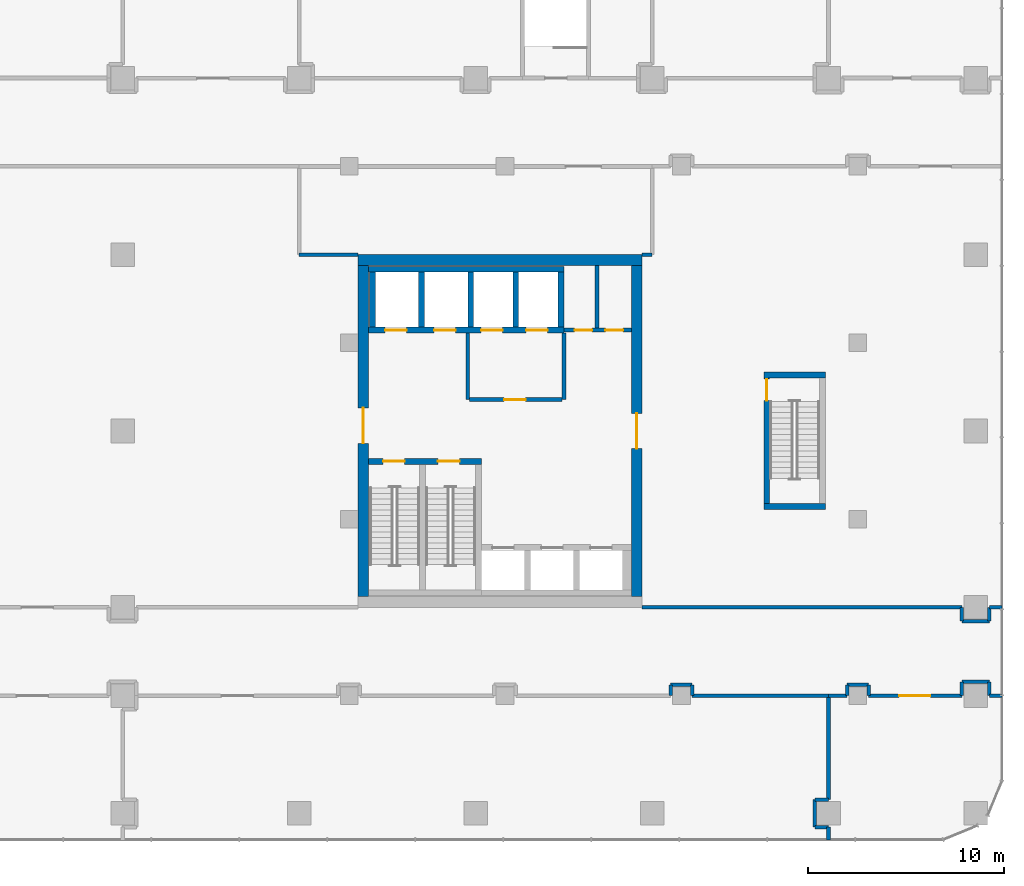
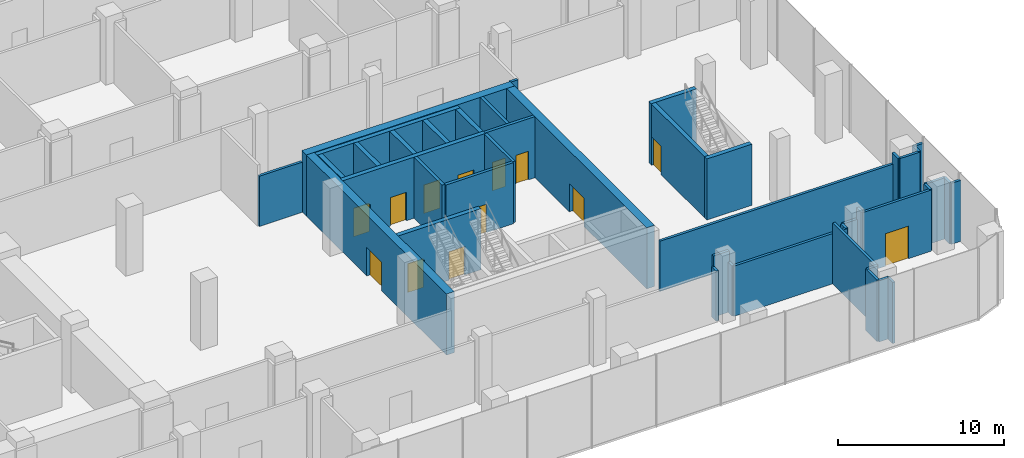
# One storey, part 29 of 36: 44 walls, 13 doors, 13 openings.
"""IFC4 building model written with IfcOpenShell, lengths in metres."""

import ifcopenshell
import ifcopenshell.guid

model = None  # the IFC model being written
_history = None  # IfcOwnerHistory: only IFC2X3 demands one
_inside = {}  # id of a spatial element -> (the spatial element, [elements in it])
_under = {}  # id of a project, library or spatial element -> (it, [spatial elements below it])
_declared = {}  # id of a project -> (the project, [libraries it declares])
_typed = {}  # id of a type object -> (the type object, [elements of that type])
_made_of = {}  # id of a material, layer set ... -> (it, [elements and type objects made of it])


def new_model(schema):
    """Start an empty IFC model of exactly this schema.

    Asked for "IFC4X3", IfcOpenShell would pick the latest addendum, in which some entities
    have other attributes; the version numbers below select the first issue.
    IFC2X3 requires an IfcOwnerHistory on every rooted entity: one is made here for all.
    """
    global model, _history
    if schema == "IFC4X3":
        model = ifcopenshell.file(schema_version=(4, 3, 0, 0))
    else:
        model = ifcopenshell.file(schema=schema)
    _inside.clear()
    _under.clear()
    _declared.clear()
    _typed.clear()
    _made_of.clear()
    _history = None
    if model.schema == "IFC2X3":
        org = make("IfcOrganization", Name="unknown")
        user = make(
            "IfcPersonAndOrganization",
            ThePerson=make("IfcPerson", FamilyName="unknown"),
            TheOrganization=org,
        )
        app = make(
            "IfcApplication",
            ApplicationDeveloper=org,
            Version="unknown",
            ApplicationFullName="unknown",
            ApplicationIdentifier="unknown",
        )
        _history = make(
            "IfcOwnerHistory",
            OwningUser=user,
            OwningApplication=app,
            ChangeAction="ADDED",
            CreationDate=0,
        )
    return model


def make(cls, **values):
    """One entity of the class cls with the attributes given. An attribute that is None is left unset."""
    return model.create_entity(
        cls, **{name: value for name, value in values.items() if value is not None}
    )


def rooted(cls, **values):
    """An entity with a GlobalId (a new one), such as an element, a storey or a relation."""
    return make(cls, GlobalId=ifcopenshell.guid.new(), OwnerHistory=_history, **values)


def si_unit(unit_type, name, prefix=None):
    """IfcSIUnit, for example si_unit("LENGTHUNIT", "METRE", prefix="MILLI")."""
    return make("IfcSIUnit", UnitType=unit_type, Prefix=prefix, Name=name)


def assignment(units):
    """IfcUnitAssignment: the units of a project."""
    return None if units is None else make("IfcUnitAssignment", Units=units)


def point(xyz):
    """IfcCartesianPoint."""
    return None if xyz is None else make("IfcCartesianPoint", Coordinates=xyz)


def direction(xyz):
    """IfcDirection."""
    return None if xyz is None else make("IfcDirection", DirectionRatios=xyz)


def frame(location, z_axis=None, x_axis=None):
    """IfcAxis2Placement3D, a coordinate frame: its origin and axes. An axis left out is left unset."""
    return make(
        "IfcAxis2Placement3D",
        Location=point(location),
        Axis=direction(z_axis),
        RefDirection=direction(x_axis),
    )


def frame_2d(location, x_axis=None):
    """IfcAxis2Placement2D, a coordinate frame in the plane: its origin and x axis."""
    return make(
        "IfcAxis2Placement2D", Location=point(location), RefDirection=direction(x_axis)
    )


def origin():
    """The frame at (0, 0, 0) with its axes left unset."""
    return frame((0.0, 0.0, 0.0))


def place(relative_to, where):
    """IfcLocalPlacement: puts the frame where relative to a parent placement (None: the world)."""
    return make(
        "IfcLocalPlacement", PlacementRelTo=relative_to, RelativePlacement=where
    )


def context(
    kind, dimensions, precision=None, world=None, true_north=None, identifier=None
):
    """IfcGeometricRepresentationContext, for example the 3D "Model" context."""
    return make(
        "IfcGeometricRepresentationContext",
        ContextIdentifier=identifier,
        ContextType=kind,
        CoordinateSpaceDimension=dimensions,
        Precision=precision,
        WorldCoordinateSystem=world,
        TrueNorth=true_north,
    )


def subcontext(parent, identifier, kind, view, scale=None):
    """IfcGeometricRepresentationSubContext, for example "Body" below "Model"."""
    return make(
        "IfcGeometricRepresentationSubContext",
        ContextIdentifier=identifier,
        ContextType=kind,
        ParentContext=parent,
        TargetScale=scale,
        TargetView=view,
    )


def project(units=None, contexts=None):
    """IfcProject with its units and contexts."""
    return rooted(
        "IfcProject",
        Name="project",
        RepresentationContexts=contexts,
        UnitsInContext=assignment(units),
    )


def spatial(cls, under=None, at=None, **own):
    """A site, building, storey or space (cls), placed at a placement, below another one or the project."""
    s = rooted(cls, ObjectPlacement=at, **own)
    if under is not None:
        _under.setdefault(under.id(), (under, []))[1].append(s)
    return s


def profile(cls, at=None, kind="AREA", **sizes):
    """A parametric profile (cls). Its sizes go by their IFC names, for example OverallWidth=200.0."""
    return make(cls, ProfileType=kind, Position=at, **sizes)


def rectangle(**sizes):
    """IfcRectangleProfileDef."""
    return profile("IfcRectangleProfileDef", **sizes)


def extrude(swept, where, along, depth):
    """IfcExtrudedAreaSolid: the profile swept, set in the frame where, extruded along a direction by depth."""
    return make(
        "IfcExtrudedAreaSolid",
        SweptArea=swept,
        Position=where,
        ExtrudedDirection=direction(along),
        Depth=depth,
    )


def shape(context_of_items, identifier, shape_type, items):
    """IfcShapeRepresentation: the items that make up one representation, for example the "Body"."""
    return make(
        "IfcShapeRepresentation",
        ContextOfItems=context_of_items,
        RepresentationIdentifier=identifier,
        RepresentationType=shape_type,
        Items=items,
    )


def material(Name=None, Category=None):
    """IfcMaterial."""
    return make("IfcMaterial", Name=Name, Category=Category)


def layer(
    of_material, thickness, ventilated=None, Name=None, Category=None, Priority=None
):
    """IfcMaterialLayer: one layer of a wall or slab, of a material (None: an air gap)."""
    return make(
        "IfcMaterialLayer",
        Material=of_material,
        LayerThickness=thickness,
        IsVentilated=ventilated,
        Name=Name,
        Category=Category,
        Priority=Priority,
    )


def layer_set(layers, Name=None):
    """IfcMaterialLayerSet."""
    return make("IfcMaterialLayerSet", MaterialLayers=layers, LayerSetName=Name)


def made_of(thing, what):
    """Note that an element or type object is made of a material, layer set ...; save() writes the relation."""
    if what is not None:
        _made_of.setdefault(what.id(), (what, []))[1].append(thing)
    return thing


def type_object(cls, material=None, **own):
    """A type object (cls), such as IfcWallType, which elements share."""
    return made_of(rooted(cls, **own), material)


def element(
    cls,
    number,
    at=None,
    inside=None,
    cuts=None,
    type_object=None,
    material=None,
    context=None,
    identifier="Body",
    shape_type=None,
    held_by="IfcProductDefinitionShape",
    body=None,
    shapes=None,
    **own,
):
    """One element of the class cls, such as IfcWall. Its Tag is "e" and its number.

    at: its placement. inside: the storey or other place that contains it. cuts: it is an
    opening in that element (IfcRelVoidsElement). A single representation is given by context,
    identifier, shape_type and body (its items); several are given by shapes. held_by: the class
    of the entity that holds the representations. save() writes the other relations.
    """
    e = rooted(cls, Tag="e%d" % number, ObjectPlacement=at, **own)
    if body is not None:
        shapes = [shape(context, identifier, shape_type, body)]
    if shapes is not None:
        e.Representation = make(held_by, Representations=shapes)
    if inside is not None:
        _inside.setdefault(inside.id(), (inside, []))[1].append(e)
    if cuts is not None:
        rooted(
            "IfcRelVoidsElement", RelatingBuildingElement=cuts, RelatedOpeningElement=e
        )
    if type_object is not None:
        _typed.setdefault(type_object.id(), (type_object, []))[1].append(e)
    return made_of(e, material)


def fill(opening, filler):
    """IfcRelFillsElement: the door or window that sits in an opening."""
    return rooted(
        "IfcRelFillsElement",
        RelatingOpeningElement=opening,
        RelatedBuildingElement=filler,
    )


def aggregate(whole, parts):
    """IfcRelAggregates: a whole, such as a stair, and the parts it consists of."""
    return rooted("IfcRelAggregates", RelatingObject=whole, RelatedObjects=parts)


def save(model, path):
    """Write the relations noted so far, then the file.

    IfcRelAggregates (storeys below a building ...), IfcRelContainedInSpatialStructure (elements
    in a storey), IfcRelDefinesByType, IfcRelAssociatesMaterial and IfcRelDeclares: one each for
    every whole, place, type object, material and project.
    """
    for whole, parts in _under.values():
        aggregate(whole, parts)
    for where, things in _inside.values():
        rooted(
            "IfcRelContainedInSpatialStructure",
            RelatedElements=things,
            RelatingStructure=where,
        )
    for kind, things in _typed.values():
        rooted("IfcRelDefinesByType", RelatedObjects=things, RelatingType=kind)
    for what, things in _made_of.values():
        rooted("IfcRelAssociatesMaterial", RelatedObjects=things, RelatingMaterial=what)
    for by, libraries in _declared.values():
        rooted("IfcRelDeclares", RelatingContext=by, RelatedDefinitions=libraries)
    model.write(path)


model = new_model("IFC4")

# Units and contexts
model_context = context("Model", 3, precision=1e-05, world=origin(), true_north=direction((0.0, 1.0)))
body_context = subcontext(model_context, "Body", "Model", "MODEL_VIEW")
ifc_project = project(units=[si_unit("LENGTHUNIT", "METRE"), si_unit("AREAUNIT", "SQUARE_METRE"), si_unit("VOLUMEUNIT", "CUBIC_METRE"), si_unit("PLANEANGLEUNIT", "RADIAN"), si_unit("MASSUNIT", "GRAM", prefix="KILO")], contexts=[model_context])

# Site, building, storey
site_placement = place(None, origin())
site = spatial("IfcSite", under=ifc_project, at=site_placement, CompositionType="ELEMENT")
building_placement = place(site_placement, origin())
building = spatial("IfcBuilding", under=site, at=building_placement, Name="Plateau Cross Towers", CompositionType="ELEMENT")
storey_placement = place(building_placement, frame((0.0, 0.0, 21.800048828125)))
storey = spatial("IfcBuildingStorey", under=building, at=storey_placement, Name="L04", CompositionType="ELEMENT", Elevation=21.800048828125)

# Wall
ifc_material_1 = material(Name="Concrete block, plastered both sides", Category="concrete")
ifc_layer_1 = layer(ifc_material_1, 0.199951171875)
ifc_layer_set_1 = layer_set([ifc_layer_1], Name="Concrete block, plastered both sides")
wall_type_1 = type_object("IfcWallType", Name="Core partition 200", PredefinedType="PARTITIONING", material=ifc_layer_set_1)
wall_1_placement = place(storey_placement, frame((80.60009765625, 10.60009765625, 0.0), z_axis=(0.0, 0.0, 1.0), x_axis=(0.0, 1.0, 0.0)))
element("IfcWall", 1, at=wall_1_placement, inside=storey, type_object=wall_type_1, Name="Core partition", PredefinedType="PARTITIONING", context=body_context, shape_type="SweptSolid", body=[
    extrude(rectangle(XDim=3.39990234375, YDim=0.199951171875, at=frame_2d((1.699951171875, 0.0))), origin(), (0.0, 0.0, 1.0), 4.5),
])

# Wall, opening, door
wall_2_placement = place(storey_placement, frame((80.699951171875, 10.60009765625, 0.0), z_axis=(0.0, 0.0, 1.0), x_axis=(1.0, 0.0, 0.0)))
wall_2 = element("IfcWall", 2, at=wall_2_placement, inside=storey, type_object=wall_type_1, Name="Core partition", PredefinedType="PARTITIONING", context=body_context, shape_type="SweptSolid", body=[
    extrude(rectangle(XDim=4.699951171875, YDim=0.199951171875, at=frame_2d((2.35009765625, 0.0))), origin(), (0.0, 0.0, 1.0), 4.5),
])
opening_1_placement = place(wall_2_placement, frame((1.75, 0.0, 0.0)))
opening_1 = element("IfcOpeningElement", 3, at=opening_1_placement, cuts=wall_2, Name="Opening FFD", PredefinedType="OPENING", context=body_context, shape_type="SweptSolid", body=[
    extrude(rectangle(XDim=1.10009765625, YDim=2.10009765625, at=frame_2d((0.550048828125, 1.050048828125))), frame((0.0, 0.10986328125, 0.0), z_axis=(0.0, -1.0, 0.0), x_axis=(1.0, 0.0, 0.0)), (0.0, 0.0, 1.0), 0.219970703125),
])
ifc_material_2 = material(Name="Steel, fire-resisting leaf", Category="steel")
door_type_1 = type_object("IfcDoorType", Name="Firefighting lobby door 1100", OperationType="NOTDEFINED", PredefinedType="DOOR", material=ifc_material_2)
door_1_placement = place(opening_1_placement, origin())
door_1 = element("IfcDoor", 4, at=door_1_placement, inside=storey, type_object=door_type_1, Name="Firefighting lobby door FFD", OperationType="SINGLE_SWING_LEFT", OverallHeight=2.10009765625, OverallWidth=1.10009765625, PredefinedType="DOOR", context=body_context, shape_type="SweptSolid", body=[
    extrude(rectangle(XDim=1.10009765625, YDim=2.10009765625, at=frame_2d((0.550048828125, 1.050048828125))), frame((0.0, 0.02490234375, 0.0), z_axis=(0.0, -1.0, 0.0), x_axis=(1.0, 0.0, 0.0)), (0.0, 0.0, 1.0), 0.050048828125),
])
fill(opening_1, door_1)

# Wall
wall_3_placement = place(storey_placement, frame((85.5, 10.60009765625, 0.0), z_axis=(0.0, 0.0, 1.0), x_axis=(0.0, 1.0, 0.0)))
element("IfcWall", 5, at=wall_3_placement, inside=storey, type_object=wall_type_1, Name="Core partition", PredefinedType="PARTITIONING", context=body_context, shape_type="SweptSolid", body=[
    extrude(rectangle(XDim=3.39990234375, YDim=0.199951171875, at=frame_2d((1.699951171875, 0.0))), origin(), (0.0, 0.0, 1.0), 4.5),
])

# Wall, openings, doors
wall_4_placement = place(storey_placement, frame((85.5, 14.14990234375, 0.0), z_axis=(0.0, 0.0, 1.0), x_axis=(1.0, 0.0, 0.0)))
wall_4 = element("IfcWall", 6, at=wall_4_placement, inside=storey, type_object=wall_type_1, Name="Core partition", PredefinedType="PARTITIONING", context=body_context, shape_type="SweptSolid", body=[
    extrude(rectangle(XDim=3.449951171875, YDim=0.199951171875, at=frame_2d((1.72509765625, 0.0))), origin(), (0.0, 0.0, 1.0), 4.5),
])
opening_2_placement = place(wall_4_placement, frame((0.550048828125, 0.0, 0.0)))
opening_2 = element("IfcOpeningElement", 7, at=opening_2_placement, cuts=wall_4, Name="Opening RD2", PredefinedType="OPENING", context=body_context, shape_type="SweptSolid", body=[
    extrude(rectangle(XDim=0.89990234375, YDim=2.10009765625, at=frame_2d((0.449951171875, 1.050048828125))), frame((0.0, 0.10986328125, 0.0), z_axis=(0.0, -1.0, 0.0), x_axis=(1.0, 0.0, 0.0)), (0.0, 0.0, 1.0), 0.219970703125),
])
opening_3_placement = place(wall_4_placement, frame((2.125, 0.0, 0.0)))
opening_3 = element("IfcOpeningElement", 8, at=opening_3_placement, cuts=wall_4, Name="Opening RD2", PredefinedType="OPENING", context=body_context, shape_type="SweptSolid", body=[
    extrude(rectangle(XDim=0.89990234375, YDim=2.10009765625, at=frame_2d((0.449951171875, 1.050048828125))), frame((0.0, 0.10986328125, 0.0), z_axis=(0.0, -1.0, 0.0), x_axis=(1.0, 0.0, 0.0)), (0.0, 0.0, 1.0), 0.219970703125),
])
door_type_2 = type_object("IfcDoorType", Name="Core riser door 900", OperationType="NOTDEFINED", PredefinedType="DOOR", material=ifc_material_2)
door_2_placement = place(opening_2_placement, origin())
door_2 = element("IfcDoor", 9, at=door_2_placement, inside=storey, type_object=door_type_2, Name="Core riser door RD2", OperationType="SINGLE_SWING_LEFT", OverallHeight=2.10009765625, OverallWidth=0.89990234375, PredefinedType="DOOR", context=body_context, shape_type="SweptSolid", body=[
    extrude(rectangle(XDim=0.89990234375, YDim=2.10009765625, at=frame_2d((0.449951171875, 1.050048828125))), frame((0.0, 0.02490234375, 0.0), z_axis=(0.0, -1.0, 0.0), x_axis=(1.0, 0.0, 0.0)), (0.0, 0.0, 1.0), 0.050048828125),
])
fill(opening_2, door_2)
door_3_placement = place(opening_3_placement, origin())
door_3 = element("IfcDoor", 10, at=door_3_placement, inside=storey, type_object=door_type_2, Name="Core riser door RD2", OperationType="SINGLE_SWING_LEFT", OverallHeight=2.10009765625, OverallWidth=0.89990234375, PredefinedType="DOOR", context=body_context, shape_type="SweptSolid", body=[
    extrude(rectangle(XDim=0.89990234375, YDim=2.10009765625, at=frame_2d((0.449951171875, 1.050048828125))), frame((0.0, 0.02490234375, 0.0), z_axis=(0.0, -1.0, 0.0), x_axis=(1.0, 0.0, 0.0)), (0.0, 0.0, 1.0), 0.050048828125),
])
fill(opening_3, door_3)

# Wall
wall_5_placement = place(storey_placement, frame((87.199951171875, 14.25, 0.0), z_axis=(0.0, 0.0, 1.0), x_axis=(0.0, 1.0, 0.0)))
element("IfcWall", 11, at=wall_5_placement, inside=storey, type_object=wall_type_1, Name="Core partition", PredefinedType="PARTITIONING", context=body_context, shape_type="SweptSolid", body=[
    extrude(rectangle(XDim=3.199951171875, YDim=0.199951171875, at=frame_2d((1.60009765625, 0.0))), origin(), (0.0, 0.0, 1.0), 4.5),
])

# Wall, openings, doors
ifc_material_3 = material(Name="Concrete C60/75", Category="concrete")
ifc_layer_2 = layer(ifc_material_3, 0.300048828125)
ifc_layer_set_2 = layer_set([ifc_layer_2], Name="Concrete C60/75")
wall_type_2 = type_object("IfcWallType", Name="Core shaft wall 300", PredefinedType="SHEAR", material=ifc_layer_set_2)
wall_6_placement = place(storey_placement, frame((75.530029296875, 7.449951171875, 0.0), z_axis=(0.0, 0.0, 1.0), x_axis=(1.0, 0.0, 0.0)))
wall_6 = element("IfcWall", 12, at=wall_6_placement, inside=storey, type_object=wall_type_2, Name="B-sb-stN@L04", PredefinedType="SHEAR", context=body_context, shape_type="SweptSolid", body=[
    extrude(rectangle(XDim=5.77001953125, YDim=0.300048828125, at=frame_2d((2.885009765625, 0.0))), origin(), (0.0, 0.0, 1.0), 4.5),
])
opening_4_placement = place(wall_6_placement, frame((0.75, 0.0, 0.0)))
opening_4 = element("IfcOpeningElement", 13, at=opening_4_placement, cuts=wall_6, Name="Opening SD", PredefinedType="OPENING", context=body_context, shape_type="SweptSolid", body=[
    extrude(rectangle(XDim=1.10009765625, YDim=2.10009765625, at=frame_2d((0.550048828125, 1.050048828125))), frame((0.0, 0.159912109375, 0.0), z_axis=(0.0, -1.0, 0.0), x_axis=(1.0, 0.0, 0.0)), (0.0, 0.0, 1.0), 0.320068359375),
])
opening_5_placement = place(wall_6_placement, frame((3.550048828125, 0.0, 0.0)))
opening_5 = element("IfcOpeningElement", 14, at=opening_5_placement, cuts=wall_6, Name="Opening SD", PredefinedType="OPENING", context=body_context, shape_type="SweptSolid", body=[
    extrude(rectangle(XDim=1.10009765625, YDim=2.10009765625, at=frame_2d((0.550048828125, 1.050048828125))), frame((0.0, 0.159912109375, 0.0), z_axis=(0.0, -1.0, 0.0), x_axis=(1.0, 0.0, 0.0)), (0.0, 0.0, 1.0), 0.320068359375),
])
door_type_3 = type_object("IfcDoorType", Name="Stair door 1100", OperationType="NOTDEFINED", PredefinedType="DOOR", material=ifc_material_2)
door_4_placement = place(opening_4_placement, origin())
door_4 = element("IfcDoor", 15, at=door_4_placement, inside=storey, type_object=door_type_3, Name="Stair door SD", OperationType="SINGLE_SWING_RIGHT", OverallHeight=2.10009765625, OverallWidth=1.10009765625, PredefinedType="DOOR", context=body_context, shape_type="SweptSolid", body=[
    extrude(rectangle(XDim=1.10009765625, YDim=2.10009765625, at=frame_2d((0.550048828125, 1.050048828125))), frame((0.0, 0.02490234375, 0.0), z_axis=(0.0, -1.0, 0.0), x_axis=(1.0, 0.0, 0.0)), (0.0, 0.0, 1.0), 0.050048828125),
])
fill(opening_4, door_4)
door_5_placement = place(opening_5_placement, origin())
door_5 = element("IfcDoor", 16, at=door_5_placement, inside=storey, type_object=door_type_3, Name="Stair door SD", OperationType="SINGLE_SWING_LEFT", OverallHeight=2.10009765625, OverallWidth=1.10009765625, PredefinedType="DOOR", context=body_context, shape_type="SweptSolid", body=[
    extrude(rectangle(XDim=1.10009765625, YDim=2.10009765625, at=frame_2d((0.550048828125, 1.050048828125))), frame((0.0, 0.02490234375, 0.0), z_axis=(0.0, -1.0, 0.0), x_axis=(1.0, 0.0, 0.0)), (0.0, 0.0, 1.0), 0.050048828125),
])
fill(opening_5, door_5)

# Wall
wall_7_placement = place(storey_placement, frame((75.530029296875, 17.25, 0.0), z_axis=(0.0, 0.0, 1.0), x_axis=(1.0, 0.0, 0.0)))
element("IfcWall", 17, at=wall_7_placement, inside=storey, type_object=wall_type_2, Name="B-nb-back@L04", PredefinedType="SHEAR", context=body_context, shape_type="SweptSolid", body=[
    extrude(rectangle(XDim=9.969970703125, YDim=0.300048828125, at=frame_2d((4.98486328125, 0.0))), origin(), (0.0, 0.0, 1.0), 4.5),
])

# Wall, openings, doors
wall_8_placement = place(storey_placement, frame((75.530029296875, 14.14990234375, 0.0), z_axis=(0.0, 0.0, 1.0), x_axis=(1.0, 0.0, 0.0)))
wall_8 = element("IfcWall", 18, at=wall_8_placement, inside=storey, type_object=wall_type_2, Name="B-nb-front@L04", PredefinedType="SHEAR", context=body_context, shape_type="SweptSolid", body=[
    extrude(rectangle(XDim=9.969970703125, YDim=0.300048828125, at=frame_2d((4.98486328125, 0.0))), origin(), (0.0, 0.0, 1.0), 4.5),
])
opening_6_placement = place(wall_8_placement, frame((0.85009765625, 0.0, 0.0)))
opening_6 = element("IfcOpeningElement", 19, at=opening_6_placement, cuts=wall_8, Name="Opening LD", PredefinedType="OPENING", context=body_context, shape_type="SweptSolid", body=[
    extrude(rectangle(XDim=1.10009765625, YDim=2.10009765625, at=frame_2d((0.550048828125, 1.050048828125))), frame((0.0, 0.159912109375, 0.0), z_axis=(0.0, -1.0, 0.0), x_axis=(1.0, 0.0, 0.0)), (0.0, 0.0, 1.0), 0.320068359375),
])
opening_7_placement = place(wall_8_placement, frame((3.35009765625, 0.0, 0.0)))
opening_7 = element("IfcOpeningElement", 20, at=opening_7_placement, cuts=wall_8, Name="Opening LD", PredefinedType="OPENING", context=body_context, shape_type="SweptSolid", body=[
    extrude(rectangle(XDim=1.10009765625, YDim=2.10009765625, at=frame_2d((0.550048828125, 1.050048828125))), frame((0.0, 0.159912109375, 0.0), z_axis=(0.0, -1.0, 0.0), x_axis=(1.0, 0.0, 0.0)), (0.0, 0.0, 1.0), 0.320068359375),
])
opening_8_placement = place(wall_8_placement, frame((5.75, 0.0, 0.0)))
opening_8 = element("IfcOpeningElement", 21, at=opening_8_placement, cuts=wall_8, Name="Opening LD", PredefinedType="OPENING", context=body_context, shape_type="SweptSolid", body=[
    extrude(rectangle(XDim=1.10009765625, YDim=2.10009765625, at=frame_2d((0.550048828125, 1.050048828125))), frame((0.0, 0.159912109375, 0.0), z_axis=(0.0, -1.0, 0.0), x_axis=(1.0, 0.0, 0.0)), (0.0, 0.0, 1.0), 0.320068359375),
])
opening_9_placement = place(wall_8_placement, frame((8.050048828125, 0.0, 0.0)))
opening_9 = element("IfcOpeningElement", 22, at=opening_9_placement, cuts=wall_8, Name="Opening LD", PredefinedType="OPENING", context=body_context, shape_type="SweptSolid", body=[
    extrude(rectangle(XDim=1.10009765625, YDim=2.10009765625, at=frame_2d((0.550048828125, 1.050048828125))), frame((0.0, 0.159912109375, 0.0), z_axis=(0.0, -1.0, 0.0), x_axis=(1.0, 0.0, 0.0)), (0.0, 0.0, 1.0), 0.320068359375),
])
ifc_material_4 = material(Name="Stainless steel, fire-resisting sliding leaves", Category="steel")
door_type_4 = type_object("IfcDoorType", Name="Lift landing door 1100", OperationType="NOTDEFINED", PredefinedType="DOOR", material=ifc_material_4)
door_6_placement = place(opening_6_placement, origin())
door_6 = element("IfcDoor", 23, at=door_6_placement, inside=storey, type_object=door_type_4, Name="Lift landing door LD", OperationType="DOUBLE_DOOR_SLIDING", OverallHeight=2.10009765625, OverallWidth=1.10009765625, PredefinedType="DOOR", context=body_context, shape_type="SweptSolid", body=[
    extrude(rectangle(XDim=1.10009765625, YDim=2.10009765625, at=frame_2d((0.550048828125, 1.050048828125))), frame((0.0, 0.02490234375, 0.0), z_axis=(0.0, -1.0, 0.0), x_axis=(1.0, 0.0, 0.0)), (0.0, 0.0, 1.0), 0.050048828125),
])
fill(opening_6, door_6)
door_7_placement = place(opening_7_placement, origin())
door_7 = element("IfcDoor", 24, at=door_7_placement, inside=storey, type_object=door_type_4, Name="Lift landing door LD", OperationType="DOUBLE_DOOR_SLIDING", OverallHeight=2.10009765625, OverallWidth=1.10009765625, PredefinedType="DOOR", context=body_context, shape_type="SweptSolid", body=[
    extrude(rectangle(XDim=1.10009765625, YDim=2.10009765625, at=frame_2d((0.550048828125, 1.050048828125))), frame((0.0, 0.02490234375, 0.0), z_axis=(0.0, -1.0, 0.0), x_axis=(1.0, 0.0, 0.0)), (0.0, 0.0, 1.0), 0.050048828125),
])
fill(opening_7, door_7)
door_8_placement = place(opening_8_placement, origin())
door_8 = element("IfcDoor", 25, at=door_8_placement, inside=storey, type_object=door_type_4, Name="Lift landing door LD", OperationType="DOUBLE_DOOR_SLIDING", OverallHeight=2.10009765625, OverallWidth=1.10009765625, PredefinedType="DOOR", context=body_context, shape_type="SweptSolid", body=[
    extrude(rectangle(XDim=1.10009765625, YDim=2.10009765625, at=frame_2d((0.550048828125, 1.050048828125))), frame((0.0, 0.02490234375, 0.0), z_axis=(0.0, -1.0, 0.0), x_axis=(1.0, 0.0, 0.0)), (0.0, 0.0, 1.0), 0.050048828125),
])
fill(opening_8, door_8)
door_9_placement = place(opening_9_placement, origin())
door_9 = element("IfcDoor", 26, at=door_9_placement, inside=storey, type_object=door_type_4, Name="Lift landing door LD", OperationType="DOUBLE_DOOR_SLIDING", OverallHeight=2.10009765625, OverallWidth=1.10009765625, PredefinedType="DOOR", context=body_context, shape_type="SweptSolid", body=[
    extrude(rectangle(XDim=1.10009765625, YDim=2.10009765625, at=frame_2d((0.550048828125, 1.050048828125))), frame((0.0, 0.02490234375, 0.0), z_axis=(0.0, -1.0, 0.0), x_axis=(1.0, 0.0, 0.0)), (0.0, 0.0, 1.0), 0.050048828125),
])
fill(opening_9, door_9)

# Walls
for number, where, z_axis, x_axis, name in (
    (27, (75.75, 14.300048828125, 0.0), (0.0, 0.0, 1.0), (0.0, 1.0, 0.0), "B-nb-v0@L04"),
    (28, (78.25, 14.300048828125, 0.0), (0.0, 0.0, 1.0), (0.0, 1.0, 0.0), "B-nb-v1@L04"),
    (29, (80.75, 14.300048828125, 0.0), (0.0, 0.0, 1.0), (0.0, 1.0, 0.0), "B-nb-v2@L04"),
    (30, (83.050048828125, 14.300048828125, 0.0), (0.0, 0.0, 1.0), (0.0, 1.0, 0.0), "B-nb-v3@L04"),
    (31, (85.35009765625, 14.300048828125, 0.0), (0.0, 0.0, 1.0), (0.0, 1.0, 0.0), "B-nb-v4@L04"),
):
    element("IfcWall", number, at=place(storey_placement, frame(where, z_axis=z_axis, x_axis=x_axis)), inside=storey, type_object=wall_type_2, Name=name, PredefinedType="SHEAR", context=body_context, shape_type="SweptSolid", body=[
        extrude(rectangle(XDim=2.800048828125, YDim=0.300048828125, at=frame_2d((1.39990234375, 0.0))), origin(), (0.0, 0.0, 1.0), 4.5),
    ])

# Wall, opening, door
wall_9_placement = place(storey_placement, frame((95.85009765625, 5.300048828125, 0.0), z_axis=(0.0, 0.0, 1.0), x_axis=(0.0, 1.0, 0.0)))
wall_9 = element("IfcWall", 32, at=wall_9_placement, inside=storey, type_object=wall_type_2, Name="B-sb3-W@L04", PredefinedType="SHEAR", context=body_context, shape_type="SweptSolid", body=[
    extrude(rectangle(XDim=6.39990234375, YDim=0.300048828125, at=frame_2d((3.199951171875, 0.0))), origin(), (0.0, 0.0, 1.0), 4.5),
])
opening_10_placement = place(wall_9_placement, frame((5.25, 0.0, 0.0)))
opening_10 = element("IfcOpeningElement", 33, at=opening_10_placement, cuts=wall_9, Name="Opening SD", PredefinedType="OPENING", context=body_context, shape_type="SweptSolid", body=[
    extrude(rectangle(XDim=1.10009765625, YDim=2.10009765625, at=frame_2d((0.550048828125, 1.050048828125))), frame((0.0, 0.159912109375, 0.0), z_axis=(0.0, -1.0, 0.0), x_axis=(1.0, 0.0, 0.0)), (0.0, 0.0, 1.0), 0.320068359375),
])
door_10_placement = place(opening_10_placement, origin())
door_10 = element("IfcDoor", 34, at=door_10_placement, inside=storey, type_object=door_type_3, Name="Stair door SD", OperationType="SINGLE_SWING_LEFT", OverallHeight=2.10009765625, OverallWidth=1.10009765625, PredefinedType="DOOR", context=body_context, shape_type="SweptSolid", body=[
    extrude(rectangle(XDim=1.10009765625, YDim=2.10009765625, at=frame_2d((0.550048828125, 1.050048828125))), frame((0.0, 0.02490234375, 0.0), z_axis=(0.0, -1.0, 0.0), x_axis=(1.0, 0.0, 0.0)), (0.0, 0.0, 1.0), 0.050048828125),
])
fill(opening_10, door_10)

# Walls
for number, where, z_axis, x_axis, name in (
    (35, (95.699951171875, 5.14990234375, 0.0), (0.0, 0.0, 1.0), (1.0, 0.0, 0.0), "B-sb3-S@L04"),
    (36, (95.699951171875, 11.85009765625, 0.0), (0.0, 0.0, 1.0), (1.0, 0.0, 0.0), "B-sb3-N@L04"),
):
    element("IfcWall", number, at=place(storey_placement, frame(where, z_axis=z_axis, x_axis=x_axis)), inside=storey, type_object=wall_type_2, Name=name, PredefinedType="SHEAR", context=body_context, shape_type="SweptSolid", body=[
        extrude(rectangle(XDim=3.150146484375, YDim=0.300048828125, at=frame_2d((1.5751953125, 0.0))), origin(), (0.0, 0.0, 1.0), 4.5),
    ])
ifc_layer_3 = layer(ifc_material_3, 0.550048828125)
ifc_layer_set_3 = layer_set([ifc_layer_3], Name="Concrete C60/75")
wall_type_3 = type_object("IfcWallType", Name="Core shell wall 550", PredefinedType="SHEAR", material=ifc_layer_set_3)
wall_10_placement = place(storey_placement, frame((75.0, 17.72509765625, 0.0), z_axis=(0.0, 0.0, 1.0), x_axis=(1.0, 0.0, 0.0)))
element("IfcWall", 37, at=wall_10_placement, inside=storey, type_object=wall_type_3, Name="B-core-N@L04", PredefinedType="SHEAR", context=body_context, shape_type="SweptSolid", body=[
    extrude(rectangle(XDim=14.5, YDim=0.550048828125, at=frame_2d((7.25, 0.0))), origin(), (0.0, 0.0, 1.0), 4.5),
])

# Wall, opening, door
wall_11_placement = place(storey_placement, frame((75.27490234375, 0.550048828125, 0.0), z_axis=(0.0, 0.0, 1.0), x_axis=(0.0, 1.0, 0.0)))
wall_11 = element("IfcWall", 38, at=wall_11_placement, inside=storey, type_object=wall_type_3, Name="B-core-W@L04", PredefinedType="SHEAR", context=body_context, shape_type="SweptSolid", body=[
    extrude(rectangle(XDim=16.89990234375, YDim=0.550048828125, at=frame_2d((8.449951171875, 0.0))), origin(), (0.0, 0.0, 1.0), 4.5),
])
opening_11_placement = place(wall_11_placement, frame((7.824951171875, 0.0, 0.0)))
opening_11 = element("IfcOpeningElement", 39, at=opening_11_placement, cuts=wall_11, Name="Opening CD", PredefinedType="OPENING", context=body_context, shape_type="SweptSolid", body=[
    extrude(rectangle(XDim=1.800048828125, YDim=2.10009765625, at=frame_2d((0.89990234375, 1.050048828125))), frame((0.0, 0.284912109375, 0.0), z_axis=(0.0, -1.0, 0.0), x_axis=(1.0, 0.0, 0.0)), (0.0, 0.0, 1.0), 0.570068359375),
])
ifc_material_5 = material(Name="Steel, fire-resisting leaves", Category="steel")
door_type_5 = type_object("IfcDoorType", Name="Corridor door pair 1800", OperationType="NOTDEFINED", PredefinedType="DOOR", material=ifc_material_5)
door_11_placement = place(opening_11_placement, origin())
door_11 = element("IfcDoor", 40, at=door_11_placement, inside=storey, type_object=door_type_5, Name="Corridor door pair CD", OperationType="DOUBLE_DOOR_SINGLE_SWING", OverallHeight=2.10009765625, OverallWidth=1.800048828125, PredefinedType="DOOR", context=body_context, shape_type="SweptSolid", body=[
    extrude(rectangle(XDim=1.800048828125, YDim=2.10009765625, at=frame_2d((0.89990234375, 1.050048828125))), frame((0.0, 0.02490234375, 0.0), z_axis=(0.0, -1.0, 0.0), x_axis=(1.0, 0.0, 0.0)), (0.0, 0.0, 1.0), 0.050048828125),
])
fill(opening_11, door_11)

wall_12_placement = place(storey_placement, frame((89.22509765625, 0.550048828125, 0.0), z_axis=(0.0, 0.0, 1.0), x_axis=(0.0, 1.0, 0.0)))
wall_12 = element("IfcWall", 41, at=wall_12_placement, inside=storey, type_object=wall_type_3, Name="B-core-E@L04", PredefinedType="SHEAR", context=body_context, shape_type="SweptSolid", body=[
    extrude(rectangle(XDim=16.89990234375, YDim=0.550048828125, at=frame_2d((8.449951171875, 0.0))), origin(), (0.0, 0.0, 1.0), 4.5),
])
opening_12_placement = place(wall_12_placement, frame((7.550048828125, 0.0, 0.0)))
opening_12 = element("IfcOpeningElement", 42, at=opening_12_placement, cuts=wall_12, Name="Opening CD", PredefinedType="OPENING", context=body_context, shape_type="SweptSolid", body=[
    extrude(rectangle(XDim=1.800048828125, YDim=2.10009765625, at=frame_2d((0.89990234375, 1.050048828125))), frame((0.0, 0.284912109375, 0.0), z_axis=(0.0, -1.0, 0.0), x_axis=(1.0, 0.0, 0.0)), (0.0, 0.0, 1.0), 0.570068359375),
])
door_12_placement = place(opening_12_placement, origin())
door_12 = element("IfcDoor", 43, at=door_12_placement, inside=storey, type_object=door_type_5, Name="Corridor door pair CD", OperationType="DOUBLE_DOOR_SINGLE_SWING", OverallHeight=2.10009765625, OverallWidth=1.800048828125, PredefinedType="DOOR", context=body_context, shape_type="SweptSolid", body=[
    extrude(rectangle(XDim=1.800048828125, YDim=2.10009765625, at=frame_2d((0.89990234375, 1.050048828125))), frame((0.0, 0.02490234375, 0.0), z_axis=(0.0, -1.0, 0.0), x_axis=(1.0, 0.0, 0.0)), (0.0, 0.0, 1.0), 0.050048828125),
])
fill(opening_12, door_12)

# Walls
ifc_material_6 = material(Name="Dense masonry block, plastered, acoustic lining", Category="masonry")
ifc_layer_4 = layer(ifc_material_6, 0.179931640625)
ifc_layer_set_4 = layer_set([ifc_layer_4], Name="Dense masonry block, plastered, acoustic lining")
wall_type_4 = type_object("IfcWallType", Name="Plant room acoustic wall 180", PredefinedType="PARTITIONING", material=ifc_layer_set_4)
wall_13_placement = place(storey_placement, frame((99.0, -4.5, 0.0), z_axis=(0.0, 0.0, 1.0), x_axis=(-1.0, 0.0, 0.0)))
element("IfcWall", 44, at=wall_13_placement, inside=storey, type_object=wall_type_4, Name="Partition wall", PredefinedType="PARTITIONING", context=body_context, shape_type="SweptSolid", body=[
    extrude(rectangle(XDim=6.949951171875, YDim=0.179931640625, at=frame_2d((3.47509765625, 0.0))), origin(), (0.0, 0.0, 1.0), 3.699951171875),
])
wall_14_placement = place(storey_placement, frame((92.050048828125, -4.5, 0.0), z_axis=(0.0, 0.0, 1.0), x_axis=(0.0, 1.0, 0.0)))
element("IfcWall", 45, at=wall_14_placement, inside=storey, type_object=wall_type_4, Name="Partition wall", PredefinedType="PARTITIONING", context=body_context, shape_type="SweptSolid", body=[
    extrude(rectangle(XDim=0.550048828125, YDim=0.179931640625, at=frame_2d((0.27490234375, 0.0))), origin(), (0.0, 0.0, 1.0), 3.699951171875),
])
wall_15_placement = place(storey_placement, frame((92.050048828125, -3.949951171875, 0.0), z_axis=(0.0, 0.0, 1.0), x_axis=(-1.0, 0.0, 0.0)))
element("IfcWall", 46, at=wall_15_placement, inside=storey, type_object=wall_type_4, Name="Partition wall", PredefinedType="PARTITIONING", context=body_context, shape_type="SweptSolid", body=[
    extrude(rectangle(XDim=1.10009765625, YDim=0.179931640625, at=frame_2d((0.550048828125, 0.0))), origin(), (0.0, 0.0, 1.0), 4.5),
])
wall_16_placement = place(storey_placement, frame((90.949951171875, -3.949951171875, 0.0), z_axis=(0.0, 0.0, 1.0), x_axis=(0.0, -1.0, 0.0)))
element("IfcWall", 47, at=wall_16_placement, inside=storey, type_object=wall_type_4, Name="Partition wall", PredefinedType="PARTITIONING", context=body_context, shape_type="SweptSolid", body=[
    extrude(rectangle(XDim=0.550048828125, YDim=0.179931640625, at=frame_2d((0.27490234375, 0.0))), origin(), (0.0, 0.0, 1.0), 3.699951171875),
])
wall_17_placement = place(storey_placement, frame((89.5, 0.0, 0.0), z_axis=(0.0, 0.0, 1.0), x_axis=(1.0, 0.0, 0.0)))
element("IfcWall", 48, at=wall_17_placement, inside=storey, type_object=wall_type_4, Name="Partition wall", PredefinedType="PARTITIONING", context=body_context, shape_type="SweptSolid", body=[
    extrude(rectangle(XDim=16.300048828125, YDim=0.179931640625, at=frame_2d((8.14990234375, 0.0))), origin(), (0.0, 0.0, 1.0), 3.699951171875),
])
wall_18_placement = place(storey_placement, frame((105.800048828125, 0.0, 0.0), z_axis=(0.0, 0.0, 1.0), x_axis=(0.0, -1.0, 0.0)))
element("IfcWall", 49, at=wall_18_placement, inside=storey, type_object=wall_type_4, Name="Partition wall", PredefinedType="PARTITIONING", context=body_context, shape_type="SweptSolid", body=[
    extrude(rectangle(XDim=0.699951171875, YDim=0.179931640625, at=frame_2d((0.35009765625, 0.0))), origin(), (0.0, 0.0, 1.0), 4.5),
])
wall_19_placement = place(storey_placement, frame((105.800048828125, -0.699951171875, 0.0), z_axis=(0.0, 0.0, 1.0), x_axis=(1.0, 0.0, 0.0)))
element("IfcWall", 50, at=wall_19_placement, inside=storey, type_object=wall_type_4, Name="Partition wall", PredefinedType="PARTITIONING", context=body_context, shape_type="SweptSolid", body=[
    extrude(rectangle(XDim=1.39990234375, YDim=0.179931640625, at=frame_2d((0.699951171875, 0.0))), origin(), (0.0, 0.0, 1.0), 4.5),
])
wall_20_placement = place(storey_placement, frame((107.199951171875, -0.699951171875, 0.0), z_axis=(0.0, 0.0, 1.0), x_axis=(0.0, 1.0, 0.0)))
element("IfcWall", 51, at=wall_20_placement, inside=storey, type_object=wall_type_4, Name="Partition wall", PredefinedType="PARTITIONING", context=body_context, shape_type="SweptSolid", body=[
    extrude(rectangle(XDim=0.699951171875, YDim=0.179931640625, at=frame_2d((0.35009765625, 0.0))), origin(), (0.0, 0.0, 1.0), 4.5),
])
for number, where, z_axis, x_axis, name in (
    (52, (107.199951171875, 0.0, 0.0), (0.0, 0.0, 1.0), (1.0, 0.0, 0.0), "Partition wall"),
    (53, (107.85009765625, -4.5, 0.0), (0.0, 0.0, 1.0), (-1.0, 0.0, 0.0), "Partition wall"),
):
    element("IfcWall", number, at=place(storey_placement, frame(where, z_axis=z_axis, x_axis=x_axis)), inside=storey, type_object=wall_type_4, Name=name, PredefinedType="PARTITIONING", context=body_context, shape_type="SweptSolid", body=[
        extrude(rectangle(XDim=0.650146484375, YDim=0.179931640625, at=frame_2d((0.3251953125, 0.0))), origin(), (0.0, 0.0, 1.0), 4.5),
    ])
wall_21_placement = place(storey_placement, frame((107.199951171875, -4.5, 0.0), z_axis=(0.0, 0.0, 1.0), x_axis=(0.0, 1.0, 0.0)))
element("IfcWall", 54, at=wall_21_placement, inside=storey, type_object=wall_type_4, Name="Partition wall", PredefinedType="PARTITIONING", context=body_context, shape_type="SweptSolid", body=[
    extrude(rectangle(XDim=0.699951171875, YDim=0.179931640625, at=frame_2d((0.35009765625, 0.0))), origin(), (0.0, 0.0, 1.0), 4.5),
])
wall_22_placement = place(storey_placement, frame((107.199951171875, -3.800048828125, 0.0), z_axis=(0.0, 0.0, 1.0), x_axis=(-1.0, 0.0, 0.0)))
element("IfcWall", 55, at=wall_22_placement, inside=storey, type_object=wall_type_4, Name="Partition wall", PredefinedType="PARTITIONING", context=body_context, shape_type="SweptSolid", body=[
    extrude(rectangle(XDim=1.39990234375, YDim=0.179931640625, at=frame_2d((0.699951171875, 0.0))), origin(), (0.0, 0.0, 1.0), 4.5),
])
wall_23_placement = place(storey_placement, frame((105.800048828125, -3.800048828125, 0.0), z_axis=(0.0, 0.0, 1.0), x_axis=(0.0, -1.0, 0.0)))
element("IfcWall", 56, at=wall_23_placement, inside=storey, type_object=wall_type_4, Name="Partition wall", PredefinedType="PARTITIONING", context=body_context, shape_type="SweptSolid", body=[
    extrude(rectangle(XDim=0.699951171875, YDim=0.179931640625, at=frame_2d((0.35009765625, 0.0))), origin(), (0.0, 0.0, 1.0), 4.5),
])

# Wall, opening, door
wall_24_placement = place(storey_placement, frame((105.800048828125, -4.5, 0.0), z_axis=(0.0, 0.0, 1.0), x_axis=(-1.0, 0.0, 0.0)))
wall_24 = element("IfcWall", 57, at=wall_24_placement, inside=storey, type_object=wall_type_4, Name="Partition wall", PredefinedType="PARTITIONING", context=body_context, shape_type="SweptSolid", body=[
    extrude(rectangle(XDim=4.75, YDim=0.179931640625, at=frame_2d((2.375, 0.0))), origin(), (0.0, 0.0, 1.0), 4.5),
])
opening_13_placement = place(wall_24_placement, frame((1.60009765625, 0.0, 0.0)))
opening_13 = element("IfcOpeningElement", 58, at=opening_13_placement, cuts=wall_24, Name="Opening 04-16", PredefinedType="OPENING", context=body_context, shape_type="SweptSolid", body=[
    extrude(rectangle(XDim=1.60009765625, YDim=2.39990234375, at=frame_2d((0.800048828125, 1.199951171875))), frame((0.0, 0.099853515625, 0.0), z_axis=(0.0, -1.0, 0.0), x_axis=(1.0, 0.0, 0.0)), (0.0, 0.0, 1.0), 0.199951171875),
])
ifc_material_7 = material(Name="Steel, fire-resisting double leaf with louvre panel", Category="steel")
door_type_6 = type_object("IfcDoorType", Name="Plant room double door 1600x2400", OperationType="NOTDEFINED", PredefinedType="DOOR", material=ifc_material_7)
door_13_placement = place(opening_13_placement, origin())
door_13 = element("IfcDoor", 59, at=door_13_placement, inside=storey, type_object=door_type_6, Name="Door 04-16", OperationType="SINGLE_SWING_LEFT", OverallHeight=2.39990234375, OverallWidth=1.60009765625, PredefinedType="DOOR", context=body_context, shape_type="SweptSolid", body=[
    extrude(rectangle(XDim=1.60009765625, YDim=2.39990234375, at=frame_2d((0.800048828125, 1.199951171875))), frame((0.0, 0.02490234375, 0.0), z_axis=(0.0, -1.0, 0.0), x_axis=(1.0, 0.0, 0.0)), (0.0, 0.0, 1.0), 0.050048828125),
])
fill(opening_13, door_13)

# Walls
wall_25_placement = place(storey_placement, frame((101.050048828125, -4.5, 0.0), z_axis=(0.0, 0.0, 1.0), x_axis=(0.0, 1.0, 0.0)))
element("IfcWall", 60, at=wall_25_placement, inside=storey, type_object=wall_type_4, Name="Partition wall", PredefinedType="PARTITIONING", context=body_context, shape_type="SweptSolid", body=[
    extrude(rectangle(XDim=0.550048828125, YDim=0.179931640625, at=frame_2d((0.27490234375, 0.0))), origin(), (0.0, 0.0, 1.0), 4.5),
])
wall_26_placement = place(storey_placement, frame((101.050048828125, -3.949951171875, 0.0), z_axis=(0.0, 0.0, 1.0), x_axis=(-1.0, 0.0, 0.0)))
element("IfcWall", 61, at=wall_26_placement, inside=storey, type_object=wall_type_4, Name="Partition wall", PredefinedType="PARTITIONING", context=body_context, shape_type="SweptSolid", body=[
    extrude(rectangle(XDim=1.10009765625, YDim=0.179931640625, at=frame_2d((0.550048828125, 0.0))), origin(), (0.0, 0.0, 1.0), 3.699951171875),
])
wall_27_placement = place(storey_placement, frame((99.949951171875, -3.949951171875, 0.0), z_axis=(0.0, 0.0, 1.0), x_axis=(0.0, -1.0, 0.0)))
element("IfcWall", 62, at=wall_27_placement, inside=storey, type_object=wall_type_4, Name="Partition wall", PredefinedType="PARTITIONING", context=body_context, shape_type="SweptSolid", body=[
    extrude(rectangle(XDim=0.550048828125, YDim=0.179931640625, at=frame_2d((0.27490234375, 0.0))), origin(), (0.0, 0.0, 1.0), 3.699951171875),
])
wall_28_placement = place(storey_placement, frame((99.949951171875, -4.5, 0.0), z_axis=(0.0, 0.0, 1.0), x_axis=(-1.0, 0.0, 0.0)))
element("IfcWall", 63, at=wall_28_placement, inside=storey, type_object=wall_type_4, Name="Partition wall", PredefinedType="PARTITIONING", context=body_context, shape_type="SweptSolid", body=[
    extrude(rectangle(XDim=0.949951171875, YDim=0.179931640625, at=frame_2d((0.47509765625, 0.0))), origin(), (0.0, 0.0, 1.0), 3.699951171875),
])
wall_29_placement = place(storey_placement, frame((99.0, -4.60009765625, 0.0), z_axis=(0.0, 0.0, 1.0), x_axis=(0.0, -1.0, 0.0)))
element("IfcWall", 64, at=wall_29_placement, inside=storey, type_object=wall_type_4, Name="Partition wall", PredefinedType="PARTITIONING", context=body_context, shape_type="SweptSolid", body=[
    extrude(rectangle(XDim=5.199951171875, YDim=0.179931640625, at=frame_2d((2.60009765625, 0.0))), origin(), (0.0, 0.0, 1.0), 4.5),
])
wall_30_placement = place(storey_placement, frame((99.0, -9.800048828125, 0.0), z_axis=(0.0, 0.0, 1.0), x_axis=(-1.0, 0.0, 0.0)))
element("IfcWall", 65, at=wall_30_placement, inside=storey, type_object=wall_type_4, Name="Partition wall", PredefinedType="PARTITIONING", context=body_context, shape_type="SweptSolid", body=[
    extrude(rectangle(XDim=0.699951171875, YDim=0.179931640625, at=frame_2d((0.35009765625, 0.0))), origin(), (0.0, 0.0, 1.0), 4.5),
])
wall_31_placement = place(storey_placement, frame((98.300048828125, -9.800048828125, 0.0), z_axis=(0.0, 0.0, 1.0), x_axis=(0.0, -1.0, 0.0)))
element("IfcWall", 66, at=wall_31_placement, inside=storey, type_object=wall_type_4, Name="Partition wall", PredefinedType="PARTITIONING", context=body_context, shape_type="SweptSolid", body=[
    extrude(rectangle(XDim=1.39990234375, YDim=0.179931640625, at=frame_2d((0.699951171875, 0.0))), origin(), (0.0, 0.0, 1.0), 4.5),
])
wall_32_placement = place(storey_placement, frame((98.300048828125, -11.199951171875, 0.0), z_axis=(0.0, 0.0, 1.0), x_axis=(1.0, 0.0, 0.0)))
element("IfcWall", 67, at=wall_32_placement, inside=storey, type_object=wall_type_4, Name="Partition wall", PredefinedType="PARTITIONING", context=body_context, shape_type="SweptSolid", body=[
    extrude(rectangle(XDim=0.699951171875, YDim=0.179931640625, at=frame_2d((0.35009765625, 0.0))), origin(), (0.0, 0.0, 1.0), 4.5),
])
wall_33_placement = place(storey_placement, frame((99.0, -11.199951171875, 0.0), z_axis=(0.0, 0.0, 1.0), x_axis=(0.0, -1.0, 0.0)))
element("IfcWall", 68, at=wall_33_placement, inside=storey, type_object=wall_type_4, Name="Partition wall", PredefinedType="PARTITIONING", context=body_context, shape_type="SweptSolid", body=[
    extrude(rectangle(XDim=0.650146484375, YDim=0.179931640625, at=frame_2d((0.3251953125, 0.0))), origin(), (0.0, 0.0, 1.0), 4.5),
])
wall_34_placement = place(storey_placement, frame((75.0, 18.0, 0.0), z_axis=(0.0, 0.0, 1.0), x_axis=(-1.0, 0.0, 0.0)))
element("IfcWall", 69, at=wall_34_placement, inside=storey, type_object=wall_type_4, Name="Partition wall", PredefinedType="PARTITIONING", context=body_context, shape_type="SweptSolid", body=[
    extrude(rectangle(XDim=3.0, YDim=0.179931640625, at=frame_2d((1.5, 0.0))), origin(), (0.0, 0.0, 1.0), 3.699951171875),
])
wall_35_placement = place(storey_placement, frame((90.0, 18.0, 0.0), z_axis=(0.0, 0.0, 1.0), x_axis=(-1.0, 0.0, 0.0)))
element("IfcWall", 70, at=wall_35_placement, inside=storey, type_object=wall_type_4, Name="Partition wall", PredefinedType="PARTITIONING", context=body_context, shape_type="SweptSolid", body=[
    extrude(rectangle(XDim=0.5, YDim=0.179931640625, at=frame_2d((0.25, 0.0))), origin(), (0.0, 0.0, 1.0), 4.5),
])

save(model, "model.ifc")
